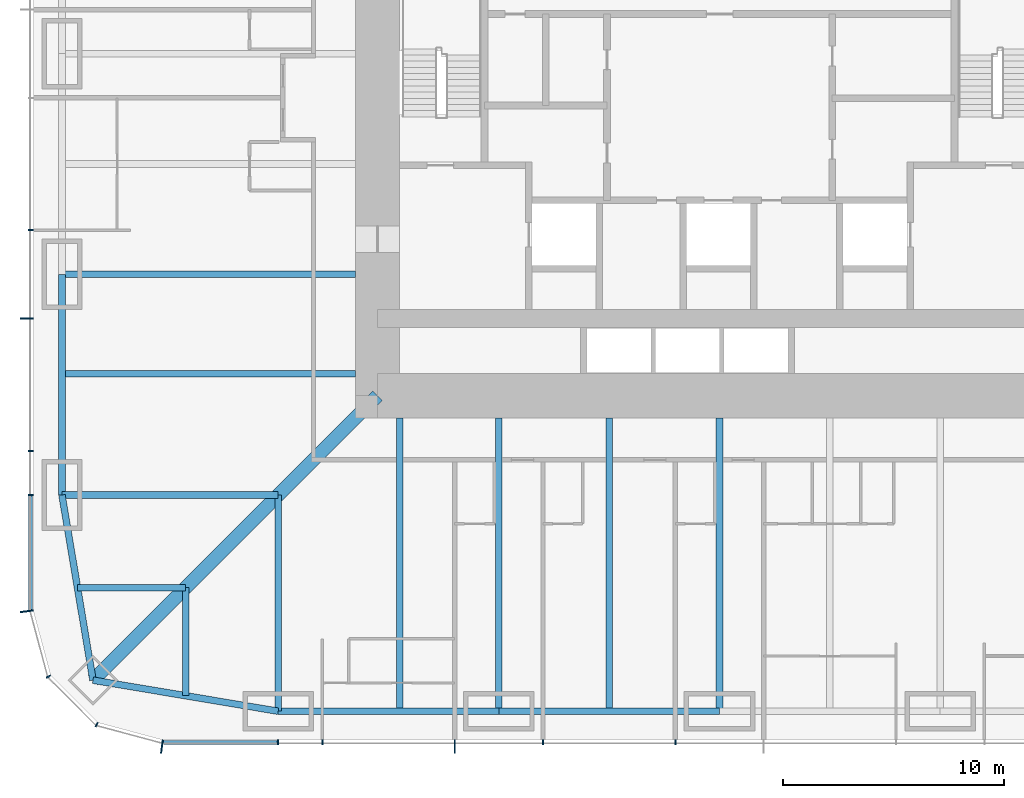
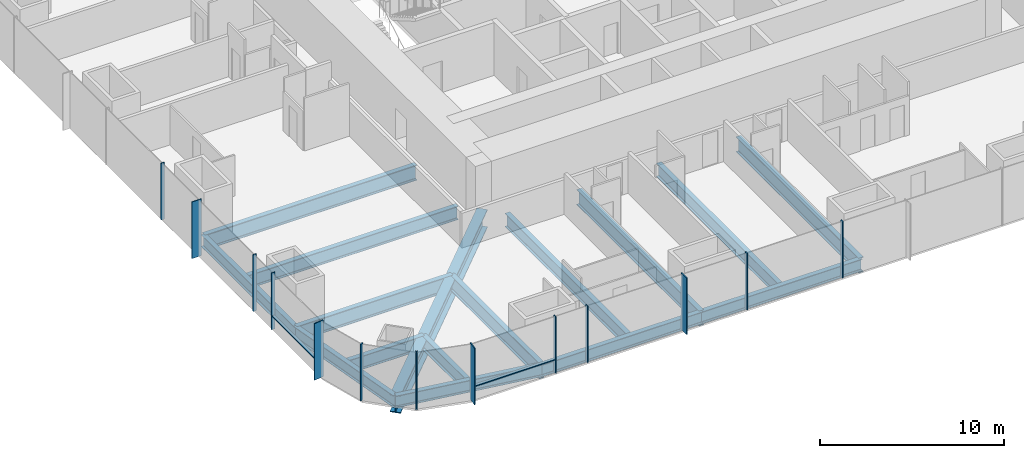
# One storey, part 2 of 17: 16 beams, 15 members, 3 elements without a shape of their own.
"""IFC4 building model written with IfcOpenShell, lengths in metres."""

from ifc_helpers import new_model, si_unit, direction, frame, origin, origin_2d, place, context, subcontext, project, spatial, rectangle, i_section, extrude, material, material_profile, profile_set, type_object, element, aggregate, save


model = new_model("IFC4")

# Units and contexts
model_context = context("Model", 3, precision=1e-05, world=origin(), true_north=direction((0.0, 1.0)))
body_context = subcontext(model_context, "Body", "Model", "MODEL_VIEW")
ifc_project = project(units=[si_unit("LENGTHUNIT", "METRE"), si_unit("AREAUNIT", "SQUARE_METRE"), si_unit("VOLUMEUNIT", "CUBIC_METRE"), si_unit("PLANEANGLEUNIT", "RADIAN"), si_unit("MASSUNIT", "GRAM", prefix="KILO")], contexts=[model_context])

# Site, building, storey
site_placement = place(None, origin())
site = spatial("IfcSite", under=ifc_project, at=site_placement, CompositionType="ELEMENT")
building_placement = place(site_placement, origin())
building = spatial("IfcBuilding", under=site, at=building_placement, Name="Khuree Lantern Residences", CompositionType="ELEMENT")
storey_placement = place(building_placement, frame((0.0, 0.0, 73.5)))
storey = spatial("IfcBuildingStorey", under=building, at=storey_placement, Name="L18", CompositionType="ELEMENT", Elevation=73.5)

# Beams
ifc_material_1 = material(Name="Steel S355", Category="steel")
ifc_material_profile_1 = material_profile(ifc_material_1, i_section(OverallWidth=0.300048828125, OverallDepth=0.889892578125, WebThickness=0.01611328125, FlangeThickness=0.030029296875, FilletRadius=0.030029296875, at=origin_2d()), Name="HE 900 A")
ifc_profile_set_1 = profile_set([ifc_material_profile_1], Name="Steel S355")
beam_type_1 = type_object("IfcBeamType", Name="B-14 SECONDARY BEAM HE 900 A", PredefinedType="BEAM", material=ifc_profile_set_1)
for number, where, z_axis, x_axis, name in (
    (1, (-5.0, -29.800048828125, -0.695068359375), (0.0, 1.0, 0.0), (-1.0, 0.0, 0.0), "Secondary beam S4"),
    (2, (-14.5, -29.800048828125, -0.695068359375), (0.0, 1.0, 0.0), (-1.0, 0.0, 0.0), "Secondary beam S5"),
):
    element("IfcBeam", number, at=place(storey_placement, frame(where, z_axis=z_axis, x_axis=x_axis)), inside=storey, type_object=beam_type_1, Name=name, PredefinedType="BEAM", context=body_context, shape_type="SweptSolid", body=[
        extrude(i_section(OverallWidth=0.300048828125, OverallDepth=0.889892578125, WebThickness=0.01611328125, FlangeThickness=0.030029296875, FilletRadius=0.030029296875, at=origin_2d()), origin(), (0.0, 0.0, 1.0), 13.300048828125),
    ])
for number, where, z_axis, x_axis, name in (
    (3, (-24.197021484375, -29.09716796875, -0.695068359375), (0.0, 1.0, 0.0), (-1.0, 0.0, 0.0), "Secondary beam S6"),
    (4, (-29.09716796875, -24.197021484375, -0.695068359375), (1.0, 0.0, 0.0), (0.0, 1.0, 0.0), "Secondary beam W1"),
):
    element("IfcBeam", number, at=place(storey_placement, frame(where, z_axis=z_axis, x_axis=x_axis)), inside=storey, type_object=beam_type_1, Name=name, PredefinedType="BEAM", context=body_context, shape_type="SweptSolid", body=[
        extrude(i_section(OverallWidth=0.300048828125, OverallDepth=0.889892578125, WebThickness=0.01611328125, FlangeThickness=0.030029296875, FilletRadius=0.030029296875, at=origin_2d()), origin(), (0.0, 0.0, 1.0), 4.900146484375),
    ])
beam_1_placement = place(storey_placement, frame((-29.800048828125, -14.5, -0.695068359375), z_axis=(1.0, 0.0, 0.0), x_axis=(0.0, 1.0, 0.0)))
element("IfcBeam", 5, at=beam_1_placement, inside=storey, type_object=beam_type_1, Name="Secondary beam W2", PredefinedType="BEAM", context=body_context, shape_type="SweptSolid", body=[
    extrude(i_section(OverallWidth=0.300048828125, OverallDepth=0.889892578125, WebThickness=0.01611328125, FlangeThickness=0.030029296875, FilletRadius=0.030029296875, at=origin_2d()), origin(), (0.0, 0.0, 1.0), 13.300048828125),
])
ifc_material_profile_2 = material_profile(ifc_material_1, i_section(OverallWidth=0.300048828125, OverallDepth=0.7900390625, WebThickness=0.014892578125, FlangeThickness=0.028076171875, FilletRadius=0.030029296875, at=origin_2d()), Name="HE 800 A")
ifc_profile_set_2 = profile_set([ifc_material_profile_2], Name="Steel S355")
beam_type_2 = type_object("IfcBeamType", Name="E-14 SPANDREL BEAM HE 800 A", PredefinedType="SPANDREL", material=ifc_profile_set_2)
for number, where, z_axis, x_axis, name in (
    (6, (0.0, -29.800048828125, -0.64501953125), (-1.0, 0.0, 0.0), (0.0, -1.0, 0.0), "Spandrel beam S4"),
    (7, (-10.0, -29.800048828125, -0.64501953125), (-1.0, 0.0, 0.0), (0.0, -1.0, 0.0), "Spandrel beam S5"),
):
    element("IfcBeam", number, at=place(storey_placement, frame(where, z_axis=z_axis, x_axis=x_axis)), inside=storey, type_object=beam_type_2, Name=name, PredefinedType="SPANDREL", context=body_context, shape_type="SweptSolid", body=[
        extrude(i_section(OverallWidth=0.300048828125, OverallDepth=0.7900390625, WebThickness=0.014892578125, FlangeThickness=0.028076171875, FilletRadius=0.030029296875, at=origin_2d()), origin(), (0.0, 0.0, 1.0), 10.0),
    ])
for number, where, z_axis, x_axis, name in (
    (8, (-20.0, -29.800048828125, -0.64501953125), (-0.986260251158, 0.165199022349, 0.0), (-0.165199022349, -0.986260251158, 0.0), "Spandrel beam S6"),
    (9, (-28.39404296875, -28.39404296875, -0.64501953125), (-0.165199022349, 0.986260251158, 0.0), (-0.986260251158, -0.165199022349, 0.0), "Spandrel beam W1"),
):
    element("IfcBeam", number, at=place(storey_placement, frame(where, z_axis=z_axis, x_axis=x_axis)), inside=storey, type_object=beam_type_2, Name=name, PredefinedType="SPANDREL", context=body_context, shape_type="SweptSolid", body=[
        extrude(i_section(OverallWidth=0.300048828125, OverallDepth=0.7900390625, WebThickness=0.014892578125, FlangeThickness=0.028076171875, FilletRadius=0.030029296875, at=origin_2d()), origin(), (0.0, 0.0, 1.0), 8.510986328125),
    ])
beam_2_placement = place(storey_placement, frame((-29.800048828125, -20.0, -0.64501953125), z_axis=(0.0, 1.0, 0.0), x_axis=(-1.0, 0.0, 0.0)))
element("IfcBeam", 10, at=beam_2_placement, inside=storey, type_object=beam_type_2, Name="Spandrel beam W2", PredefinedType="SPANDREL", context=body_context, shape_type="SweptSolid", body=[
    extrude(i_section(OverallWidth=0.300048828125, OverallDepth=0.7900390625, WebThickness=0.014892578125, FlangeThickness=0.028076171875, FilletRadius=0.030029296875, at=origin_2d()), origin(), (0.0, 0.0, 1.0), 10.0),
])

# Curtain wall, member
ifc_material_2 = material(Name="Bronze anodised aluminium", Category="aluminium")
curtain_wall_type_1 = type_object("IfcCurtainWallType", Name="CW-T1 TOWER FACE CURTAIN WALL", PredefinedType="USERDEFINED", material=ifc_material_2)
curtain_wall_1_placement = place(storey_placement, origin())
curtain_wall_1 = element("IfcCurtainWall", 11, at=curtain_wall_1_placement, inside=storey, type_object=curtain_wall_type_1, Name="L18 WEST FACE CURTAIN WALL", ObjectType="Stick-built curtain wall", PredefinedType="USERDEFINED")
ifc_material_profile_3 = material_profile(ifc_material_2, rectangle(XDim=0.06494140625, YDim=0.60009765625, at=origin_2d()), Name="F1 65X600")
ifc_profile_set_3 = profile_set([ifc_material_profile_3], Name="Bronze anodised aluminium")
member_type_1 = type_object("IfcMemberType", Name="F1 BRONZE FIN MULLION TOWER 65X600", PredefinedType="MULLION", material=ifc_profile_set_3)
member_1_placement = place(storey_placement, frame((-31.39990234375, -12.0, 0.0), z_axis=(0.0, 0.0, 1.0), x_axis=(0.0, -1.0, 0.0)))
member_1 = element("IfcMember", 12, at=member_1_placement, type_object=member_type_1, Name="L18 WEST FACE FIN MULLION 40", PredefinedType="MULLION", context=body_context, shape_type="SweptSolid", body=[
    extrude(rectangle(XDim=0.06494140625, YDim=0.60009765625, at=origin_2d()), origin(), (0.0, 0.0, 1.0), 3.75),
])

curtain_wall_type_2 = type_object("IfcCurtainWallType", Name="CW-T2 TOWER CORNER CURTAIN WALL", PredefinedType="USERDEFINED", material=ifc_material_2)
curtain_wall_2_placement = place(storey_placement, origin())
curtain_wall_2 = element("IfcCurtainWall", 13, at=curtain_wall_2_placement, inside=storey, type_object=curtain_wall_type_2, Name="L18 SOUTH-WEST CORNER CURTAIN WALL", ObjectType="Faceted corner curtain wall", PredefinedType="USERDEFINED")
member_2_placement = place(storey_placement, frame((-31.400146484375, -25.269775390625, 0.0), z_axis=(0.0, 0.0, 1.0), x_axis=(0.130526257387, -0.991444852794, 0.0)))
member_2 = element("IfcMember", 14, at=member_2_placement, type_object=member_type_1, Name="L18 SOUTH-WEST CORNER FIN MULLION 43", PredefinedType="MULLION", context=body_context, shape_type="SweptSolid", body=[
    extrude(rectangle(XDim=0.06494140625, YDim=0.60009765625, at=origin_2d()), origin(), (0.0, 0.0, 1.0), 3.75),
])

# Curtain wall, members
curtain_wall_3_placement = place(storey_placement, origin())
curtain_wall_3 = element("IfcCurtainWall", 15, at=curtain_wall_3_placement, inside=storey, type_object=curtain_wall_type_1, Name="L18 SOUTH FACE CURTAIN WALL", ObjectType="Stick-built curtain wall", PredefinedType="USERDEFINED")
member_3_placement = place(storey_placement, frame((-25.269775390625, -31.400146484375, 0.0), z_axis=(0.0, 0.0, 1.0), x_axis=(0.991444852794, -0.130526257387, 0.0)))
member_3 = element("IfcMember", 16, at=member_3_placement, type_object=member_type_1, Name="L18 SOUTH FACE FIN MULLION 46", PredefinedType="MULLION", context=body_context, shape_type="SweptSolid", body=[
    extrude(rectangle(XDim=0.06494140625, YDim=0.60009765625, at=origin_2d()), origin(), (0.0, 0.0, 1.0), 3.75),
])
member_4_placement = place(storey_placement, frame((-12.0, -31.39990234375, 0.0), z_axis=(0.0, 0.0, 1.0), x_axis=(1.0, 0.0, 0.0)))
member_4 = element("IfcMember", 17, at=member_4_placement, type_object=member_type_1, Name="L18 SOUTH FACE FIN MULLION 49", PredefinedType="MULLION", context=body_context, shape_type="SweptSolid", body=[
    extrude(rectangle(XDim=0.06494140625, YDim=0.60009765625, at=origin_2d()), origin(), (0.0, 0.0, 1.0), 3.75),
])

# Beams
ifc_material_profile_4 = material_profile(ifc_material_1, i_section(OverallWidth=0.302001953125, OverallDepth=1.008056640625, WebThickness=0.02099609375, FlangeThickness=0.0400390625, FilletRadius=0.030029296875, at=origin_2d()), Name="HE 1000 M")
ifc_profile_set_4 = profile_set([ifc_material_profile_4], Name="Steel S355")
beam_type_3 = type_object("IfcBeamType", Name="G-14 GIRDER HE 1000 M", PredefinedType="BEAM", material=ifc_profile_set_4)
for number, where, z_axis, x_axis, name in (
    (18, (0.0, -29.800048828125, -0.75390625), (0.0, 1.0, 0.0), (-1.0, 0.0, 0.0), "Girder S3"),
    (19, (-10.0, -29.800048828125, -0.75390625), (0.0, 1.0, 0.0), (-1.0, 0.0, 0.0), "Girder S4"),
):
    element("IfcBeam", number, at=place(storey_placement, frame(where, z_axis=z_axis, x_axis=x_axis)), inside=storey, type_object=beam_type_3, Name=name, PredefinedType="BEAM", context=body_context, shape_type="SweptSolid", body=[
        extrude(i_section(OverallWidth=0.302001953125, OverallDepth=1.008056640625, WebThickness=0.02099609375, FlangeThickness=0.0400390625, FilletRadius=0.030029296875, at=origin_2d()), origin(), (0.0, 0.0, 1.0), 13.300048828125),
    ])
for number, where, z_axis, x_axis, name in (
    (20, (-20.0, -29.800048828125, -0.75390625), (0.0, 1.0, 0.0), (-1.0, 0.0, 0.0), "Girder S5"),
    (21, (-29.800048828125, -20.0, -0.75390625), (1.0, 0.0, 0.0), (0.0, 1.0, 0.0), "Girder W1"),
):
    element("IfcBeam", number, at=place(storey_placement, frame(where, z_axis=z_axis, x_axis=x_axis)), inside=storey, type_object=beam_type_3, Name=name, PredefinedType="BEAM", context=body_context, shape_type="SweptSolid", body=[
        extrude(i_section(OverallWidth=0.302001953125, OverallDepth=1.008056640625, WebThickness=0.02099609375, FlangeThickness=0.0400390625, FilletRadius=0.030029296875, at=origin_2d()), origin(), (0.0, 0.0, 1.0), 9.800048828125),
    ])
beam_3_placement = place(storey_placement, frame((-29.800048828125, -10.0, -0.75390625), z_axis=(1.0, 0.0, 0.0), x_axis=(0.0, 1.0, 0.0)))
element("IfcBeam", 22, at=beam_3_placement, inside=storey, type_object=beam_type_3, Name="Girder W2", PredefinedType="BEAM", context=body_context, shape_type="SweptSolid", body=[
    extrude(i_section(OverallWidth=0.302001953125, OverallDepth=1.008056640625, WebThickness=0.02099609375, FlangeThickness=0.0400390625, FilletRadius=0.030029296875, at=origin_2d()), origin(), (0.0, 0.0, 1.0), 13.300048828125),
])
ifc_material_profile_5 = material_profile(ifc_material_1, i_section(OverallWidth=0.60009765625, OverallDepth=1.199951171875, WebThickness=0.030029296875, FlangeThickness=0.06005859375, at=origin_2d()), Name="WELDED I 1200X600X30X60")
ifc_profile_set_5 = profile_set([ifc_material_profile_5], Name="Steel S355")
beam_type_4 = type_object("IfcBeamType", Name="GD-14 CORNER GIRDER WELDED I 1200X600X30X60", PredefinedType="BEAM", material=ifc_profile_set_5)
beam_4_placement = place(storey_placement, frame((-28.39404296875, -28.39404296875, -0.85009765625), z_axis=(0.707106781187, 0.707106781187, 0.0), x_axis=(-0.707106781187, 0.707106781187, 0.0)))
element("IfcBeam", 23, at=beam_4_placement, inside=storey, type_object=beam_type_4, Name="Corner girder SW", PredefinedType="BEAM", context=body_context, shape_type="SweptSolid", body=[
    extrude(i_section(OverallWidth=0.60009765625, OverallDepth=1.199951171875, WebThickness=0.030029296875, FlangeThickness=0.06005859375, at=origin_2d()), origin(), (0.0, 0.0, 1.0), 18.23486328125),
])

# Member
ifc_material_profile_6 = material_profile(ifc_material_2, rectangle(XDim=0.06494140625, YDim=0.219970703125, at=origin_2d()), Name="M1 65X220")
ifc_profile_set_6 = profile_set([ifc_material_profile_6], Name="Bronze anodised aluminium")
member_type_2 = type_object("IfcMemberType", Name="M1 BRONZE MULLION TOWER 65X220", PredefinedType="MULLION", material=ifc_profile_set_6)
member_5_placement = place(storey_placement, frame((-31.2099609375, -8.0, 0.0), z_axis=(0.0, 0.0, 1.0), x_axis=(0.0, -1.0, 0.0)))
member_5 = element("IfcMember", 24, at=member_5_placement, type_object=member_type_2, Name="L18 WEST FACE MULLION 39", PredefinedType="MULLION", context=body_context, shape_type="SweptSolid", body=[
    extrude(rectangle(XDim=0.06494140625, YDim=0.219970703125, at=origin_2d()), origin(), (0.0, 0.0, 1.0), 3.75),
])

member_6_placement = place(storey_placement, frame((-31.2099609375, -18.0, 0.0), z_axis=(0.0, 0.0, 1.0), x_axis=(0.0, -1.0, 0.0)))
member_6 = element("IfcMember", 25, at=member_6_placement, type_object=member_type_2, Name="L18 WEST FACE MULLION 41", PredefinedType="MULLION", context=body_context, shape_type="SweptSolid", body=[
    extrude(rectangle(XDim=0.06494140625, YDim=0.219970703125, at=origin_2d()), origin(), (0.0, 0.0, 1.0), 3.75),
])

member_7_placement = place(storey_placement, frame((-31.2099609375, -20.0, 0.0), z_axis=(0.0, 0.0, 1.0), x_axis=(0.0, -1.0, 0.0)))
member_7 = element("IfcMember", 26, at=member_7_placement, type_object=member_type_2, Name="L18 WEST FACE MULLION 42", PredefinedType="MULLION", context=body_context, shape_type="SweptSolid", body=[
    extrude(rectangle(XDim=0.06494140625, YDim=0.219970703125, at=origin_2d()), origin(), (0.0, 0.0, 1.0), 3.75),
])

member_8_placement = place(storey_placement, frame((-30.41162109375, -28.22998046875, 0.0), z_axis=(0.0, 0.0, 1.0), x_axis=(0.500000056923, -0.86602537092, 0.0)))
member_8 = element("IfcMember", 27, at=member_8_placement, type_object=member_type_2, Name="L18 SOUTH-WEST CORNER MULLION 44", PredefinedType="MULLION", context=body_context, shape_type="SweptSolid", body=[
    extrude(rectangle(XDim=0.06494140625, YDim=0.219970703125, at=origin_2d()), origin(), (0.0, 0.0, 1.0), 3.75),
])

member_9_placement = place(storey_placement, frame((-28.22998046875, -30.41162109375, 0.0), z_axis=(0.0, 0.0, 1.0), x_axis=(0.86602537092, -0.500000056923, 0.0)))
member_9 = element("IfcMember", 28, at=member_9_placement, type_object=member_type_2, Name="L18 SOUTH-WEST CORNER MULLION 45", PredefinedType="MULLION", context=body_context, shape_type="SweptSolid", body=[
    extrude(rectangle(XDim=0.06494140625, YDim=0.219970703125, at=origin_2d()), origin(), (0.0, 0.0, 1.0), 3.75),
])

aggregate(curtain_wall_2, [member_2, member_8, member_9])

member_10_placement = place(storey_placement, frame((-20.0, -31.2099609375, 0.0), z_axis=(0.0, 0.0, 1.0), x_axis=(1.0, 0.0, 0.0)))
member_10 = element("IfcMember", 29, at=member_10_placement, type_object=member_type_2, Name="L18 SOUTH FACE MULLION 47", PredefinedType="MULLION", context=body_context, shape_type="SweptSolid", body=[
    extrude(rectangle(XDim=0.06494140625, YDim=0.219970703125, at=origin_2d()), origin(), (0.0, 0.0, 1.0), 3.75),
])

member_11_placement = place(storey_placement, frame((-18.0, -31.2099609375, 0.0), z_axis=(0.0, 0.0, 1.0), x_axis=(1.0, 0.0, 0.0)))
member_11 = element("IfcMember", 30, at=member_11_placement, type_object=member_type_2, Name="L18 SOUTH FACE MULLION 48", PredefinedType="MULLION", context=body_context, shape_type="SweptSolid", body=[
    extrude(rectangle(XDim=0.06494140625, YDim=0.219970703125, at=origin_2d()), origin(), (0.0, 0.0, 1.0), 3.75),
])

member_12_placement = place(storey_placement, frame((-8.0, -31.2099609375, 0.0), z_axis=(0.0, 0.0, 1.0), x_axis=(1.0, 0.0, 0.0)))
member_12 = element("IfcMember", 31, at=member_12_placement, type_object=member_type_2, Name="L18 SOUTH FACE MULLION 50", PredefinedType="MULLION", context=body_context, shape_type="SweptSolid", body=[
    extrude(rectangle(XDim=0.06494140625, YDim=0.219970703125, at=origin_2d()), origin(), (0.0, 0.0, 1.0), 3.75),
])

member_13_placement = place(storey_placement, frame((-2.0, -31.2099609375, 0.0), z_axis=(0.0, 0.0, 1.0), x_axis=(1.0, 0.0, 0.0)))
member_13 = element("IfcMember", 32, at=member_13_placement, type_object=member_type_2, Name="L18 SOUTH FACE MULLION 51", PredefinedType="MULLION", context=body_context, shape_type="SweptSolid", body=[
    extrude(rectangle(XDim=0.06494140625, YDim=0.219970703125, at=origin_2d()), origin(), (0.0, 0.0, 1.0), 3.75),
])

ifc_material_profile_7 = material_profile(ifc_material_2, rectangle(XDim=0.179931640625, YDim=0.06494140625, at=origin_2d()), Name="T1 180X65")
ifc_profile_set_7 = profile_set([ifc_material_profile_7], Name="Bronze anodised aluminium")
member_type_3 = type_object("IfcMemberType", Name="TRANSOM T1 TOWER 180X65", PredefinedType="USERDEFINED", material=ifc_profile_set_7)
member_14_placement = place(storey_placement, frame((-31.219970703125, -20.032470703125, 0.89990234375), z_axis=(0.0, -1.0, 0.0), x_axis=(1.0, 0.0, 0.0)))
member_14 = element("IfcMember", 33, at=member_14_placement, type_object=member_type_3, Name="L18 WEST FACE TRANSOM 42.1", ObjectType="Transom", PredefinedType="USERDEFINED", context=body_context, shape_type="SweptSolid", body=[
    extrude(rectangle(XDim=0.179931640625, YDim=0.06494140625, at=origin_2d()), origin(), (0.0, 0.0, 1.0), 5.1689453125),
])

aggregate(curtain_wall_1, [member_5, member_1, member_6, member_7, member_14])

member_15_placement = place(storey_placement, frame((-25.201416015625, -31.219970703125, 0.89990234375), z_axis=(1.0, 0.0, 0.0), x_axis=(0.0, 1.0, 0.0)))
member_15 = element("IfcMember", 34, at=member_15_placement, type_object=member_type_3, Name="L18 SOUTH FACE TRANSOM 46.1", ObjectType="Transom", PredefinedType="USERDEFINED", context=body_context, shape_type="SweptSolid", body=[
    extrude(rectangle(XDim=0.179931640625, YDim=0.06494140625, at=origin_2d()), origin(), (0.0, 0.0, 1.0), 5.1689453125),
])

aggregate(curtain_wall_3, [member_3, member_10, member_11, member_4, member_12, member_13, member_15])

save(model, "model.ifc")
